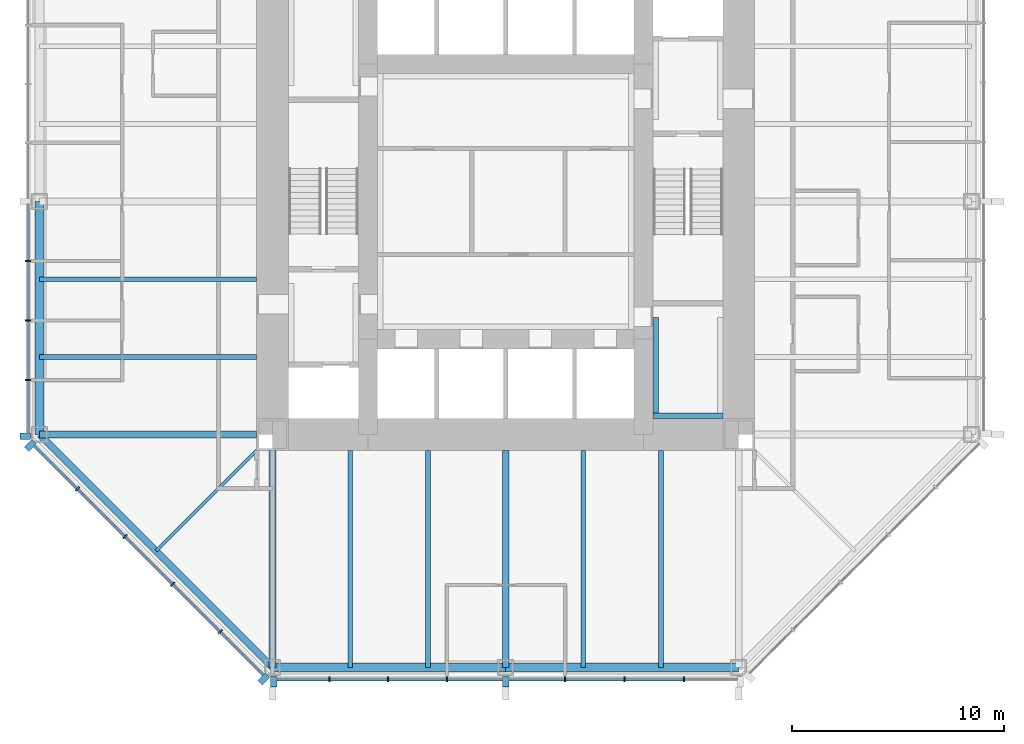
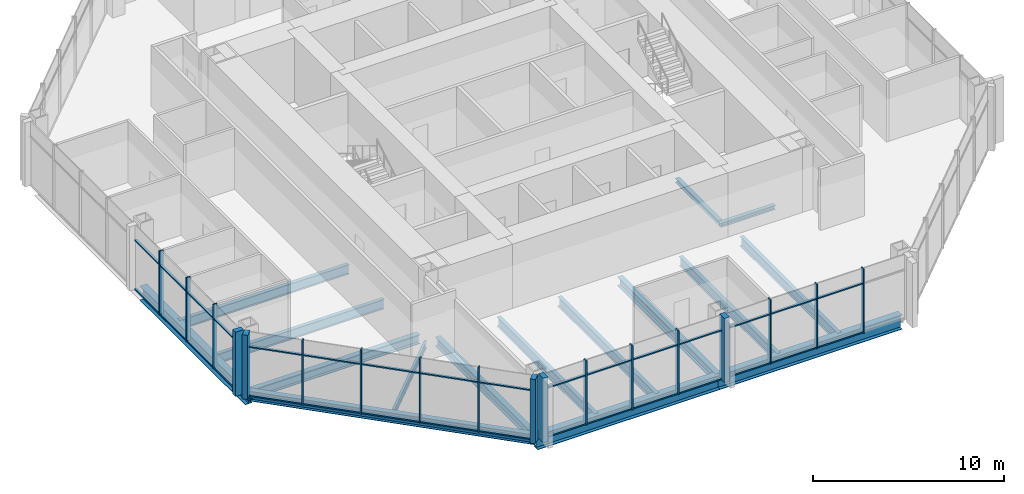
# One storey, part 2 of 12: 50 members, 16 beams, 3 elements without a shape of their own.
"""IFC4 building model written with IfcOpenShell, lengths in metres."""

from ifc_helpers import new_model, si_unit, direction, frame, origin, origin_2d, place, context, subcontext, project, spatial, rectangle, i_section, extrude, material, material_profile, profile_set, type_object, element, aggregate, save


model = new_model("IFC4")

# Units and contexts
model_context = context("Model", 3, precision=1e-05, world=origin(), true_north=direction((0.0, 1.0)))
body_context = subcontext(model_context, "Body", "Model", "MODEL_VIEW")
ifc_project = project(units=[si_unit("LENGTHUNIT", "METRE"), si_unit("AREAUNIT", "SQUARE_METRE"), si_unit("VOLUMEUNIT", "CUBIC_METRE"), si_unit("PLANEANGLEUNIT", "RADIAN"), si_unit("MASSUNIT", "GRAM", prefix="KILO")], contexts=[model_context])

# Site, building, storey
site_placement = place(None, origin())
site = spatial("IfcSite", under=ifc_project, at=site_placement, CompositionType="ELEMENT")
building_placement = place(site_placement, origin())
building = spatial("IfcBuilding", under=site, at=building_placement, Name="Trevanion Tower", CompositionType="ELEMENT")
storey_placement = place(building_placement, frame((0.0, 0.0, 129.5)))
storey = spatial("IfcBuildingStorey", under=building, at=storey_placement, Name="L30", CompositionType="ELEMENT", Elevation=129.5)

# Beams
ifc_material_1 = material(Name="Steel ASTM A992 Grade 50", Category="steel")
ifc_material_profile_1 = material_profile(ifc_material_1, i_section(OverallWidth=0.22900390625, OverallDepth=0.612060546875, WebThickness=0.011962890625, FlangeThickness=0.01953125, at=origin_2d()), Name="W24X84")
ifc_profile_set_1 = profile_set([ifc_material_profile_1], Name="Steel ASTM A992 Grade 50")
beam_type_1 = type_object("IfcBeamType", Name="B7 W24X84", PredefinedType="BEAM", material=ifc_profile_set_1)
for number, where, z_axis, x_axis, name in (
    (1, (-11.75, -3.666748046875, -0.49609375), (-1.0, 0.0, 0.0), (0.0, -1.0, 0.0), "B7 L30"),
    (2, (-11.75, -7.333251953125, -0.49609375), (-1.0, 0.0, 0.0), (0.0, -1.0, 0.0), "B7 L30"),
    (3, (-7.333251953125, -11.75, -0.49609375), (0.0, -1.0, 0.0), (1.0, 0.0, 0.0), "B7 L30"),
    (4, (-3.666748046875, -11.75, -0.49609375), (0.0, -1.0, 0.0), (1.0, 0.0, 0.0), "B7 L30"),
    (5, (3.666748046875, -11.75, -0.49609375), (0.0, -1.0, 0.0), (1.0, 0.0, 0.0), "B7 L30"),
    (6, (7.333251953125, -11.75, -0.49609375), (0.0, -1.0, 0.0), (1.0, 0.0, 0.0), "B7 L30"),
):
    element("IfcBeam", number, at=place(storey_placement, frame(where, z_axis=z_axis, x_axis=x_axis)), inside=storey, type_object=beam_type_1, Name=name, PredefinedType="BEAM", context=body_context, shape_type="SweptSolid", body=[
        extrude(i_section(OverallWidth=0.22900390625, OverallDepth=0.612060546875, WebThickness=0.011962890625, FlangeThickness=0.01953125, at=origin_2d()), origin(), (0.0, 0.0, 1.0), 10.25),
    ])
ifc_material_2 = material(Name="Steel ASTM A992 Grade 50", Category="steel")
ifc_material_profile_2 = material_profile(ifc_material_2, i_section(OverallWidth=0.15234375, OverallDepth=0.449462890625, WebThickness=0.007568359375, FlangeThickness=0.0107421875, at=origin_2d()), Name="W18X35")
ifc_profile_set_2 = profile_set([ifc_material_profile_2], Name="Steel ASTM A992 Grade 50")
beam_type_2 = type_object("IfcBeamType", Name="B8 W18X35", PredefinedType="BEAM", material=ifc_profile_set_2)
beam_1_placement = place(storey_placement, frame((-11.75, -11.75, -0.414794921875), z_axis=(-0.707106781187, -0.707106781187, 0.0), x_axis=(0.707106781187, -0.707106781187, 0.0)))
element("IfcBeam", 7, at=beam_1_placement, inside=storey, type_object=beam_type_2, Name="B8 L30", PredefinedType="BEAM", context=body_context, shape_type="SweptSolid", body=[
    extrude(i_section(OverallWidth=0.15234375, OverallDepth=0.449462890625, WebThickness=0.007568359375, FlangeThickness=0.0107421875, at=origin_2d()), origin(), (0.0, 0.0, 1.0), 6.717529296875),
])

# Curtain wall, members
ifc_material_3 = material(Name="Aluminium and glass", Category="aluminium")
curtain_wall_type = type_object("IfcCurtainWallType", Name="CW2 curtain wall", PredefinedType="USERDEFINED", material=ifc_material_3)
curtain_wall_1_placement = place(storey_placement, origin())
curtain_wall_1 = element("IfcCurtainWall", 8, at=curtain_wall_1_placement, inside=storey, type_object=curtain_wall_type, Name="CW2 L30 4", ObjectType="UNITISED CURTAIN WALL", PredefinedType="USERDEFINED")
ifc_material_4 = material(Name="Aluminium extrusion, anodised bronze", Category="aluminium")
ifc_material_profile_3 = material_profile(ifc_material_4, rectangle(XDim=0.074951171875, YDim=0.25, at=origin_2d()), Name="CW2 mullion")
ifc_profile_set_3 = profile_set([ifc_material_profile_3], Name="Aluminium extrusion, anodised bronze")
member_type_1 = type_object("IfcMemberType", Name="CW2 mullion", PredefinedType="MULLION", material=ifc_profile_set_3)
member_1_placement = place(storey_placement, frame((-22.550048828125, -2.806884765625, -0.18994140625), z_axis=(0.0, 0.0, 1.0), x_axis=(0.0, -1.0, 0.0)))
member_1 = element("IfcMember", 9, at=member_1_placement, type_object=member_type_1, Name="CW2 mullion 6", PredefinedType="MULLION", context=body_context, shape_type="SweptSolid", body=[
    extrude(rectangle(XDim=0.074951171875, YDim=0.25, at=origin_2d()), origin(), (0.0, 0.0, 1.0), 4.099853515625),
])
member_2_placement = place(storey_placement, frame((-22.550048828125, -5.614013671875, -0.18994140625), z_axis=(0.0, 0.0, 1.0), x_axis=(0.0, -1.0, 0.0)))
member_2 = element("IfcMember", 10, at=member_2_placement, type_object=member_type_1, Name="CW2 mullion 7", PredefinedType="MULLION", context=body_context, shape_type="SweptSolid", body=[
    extrude(rectangle(XDim=0.074951171875, YDim=0.25, at=origin_2d()), origin(), (0.0, 0.0, 1.0), 4.099853515625),
])
member_3_placement = place(storey_placement, frame((-22.550048828125, -8.4208984375, -0.18994140625), z_axis=(0.0, 0.0, 1.0), x_axis=(0.0, -1.0, 0.0)))
member_3 = element("IfcMember", 11, at=member_3_placement, type_object=member_type_1, Name="CW2 mullion 8", PredefinedType="MULLION", context=body_context, shape_type="SweptSolid", body=[
    extrude(rectangle(XDim=0.074951171875, YDim=0.25, at=origin_2d()), origin(), (0.0, 0.0, 1.0), 4.099853515625),
])

curtain_wall_2_placement = place(storey_placement, origin())
curtain_wall_2 = element("IfcCurtainWall", 12, at=curtain_wall_2_placement, inside=storey, type_object=curtain_wall_type, Name="CW2 L30 5", ObjectType="UNITISED CURTAIN WALL", PredefinedType="USERDEFINED")
member_4_placement = place(storey_placement, frame((-20.2119140625, -13.56591796875, -0.18994140625), z_axis=(0.0, 0.0, 1.0), x_axis=(0.707106781187, -0.707106781187, 0.0)))
member_4 = element("IfcMember", 13, at=member_4_placement, type_object=member_type_1, Name="CW2 mullion 2", PredefinedType="MULLION", context=body_context, shape_type="SweptSolid", body=[
    extrude(rectangle(XDim=0.074951171875, YDim=0.25, at=origin_2d()), origin(), (0.0, 0.0, 1.0), 4.099853515625),
])
member_5_placement = place(storey_placement, frame((-17.966064453125, -15.811767578125, -0.18994140625), z_axis=(0.0, 0.0, 1.0), x_axis=(0.707106781187, -0.707106781187, 0.0)))
member_5 = element("IfcMember", 14, at=member_5_placement, type_object=member_type_1, Name="CW2 mullion 3", PredefinedType="MULLION", context=body_context, shape_type="SweptSolid", body=[
    extrude(rectangle(XDim=0.074951171875, YDim=0.25, at=origin_2d()), origin(), (0.0, 0.0, 1.0), 4.099853515625),
])
member_6_placement = place(storey_placement, frame((-15.719970703125, -18.057861328125, -0.18994140625), z_axis=(0.0, 0.0, 1.0), x_axis=(0.707106781187, -0.707106781187, 0.0)))
member_6 = element("IfcMember", 15, at=member_6_placement, type_object=member_type_1, Name="CW2 mullion 4", PredefinedType="MULLION", context=body_context, shape_type="SweptSolid", body=[
    extrude(rectangle(XDim=0.074951171875, YDim=0.25, at=origin_2d()), origin(), (0.0, 0.0, 1.0), 4.099853515625),
])
member_7_placement = place(storey_placement, frame((-13.473876953125, -20.303955078125, -0.18994140625), z_axis=(0.0, 0.0, 1.0), x_axis=(0.707106781187, -0.707106781187, 0.0)))
member_7 = element("IfcMember", 16, at=member_7_placement, type_object=member_type_1, Name="CW2 mullion 5", PredefinedType="MULLION", context=body_context, shape_type="SweptSolid", body=[
    extrude(rectangle(XDim=0.074951171875, YDim=0.25, at=origin_2d()), origin(), (0.0, 0.0, 1.0), 4.099853515625),
])

curtain_wall_3_placement = place(storey_placement, origin())
curtain_wall_3 = element("IfcCurtainWall", 17, at=curtain_wall_3_placement, inside=storey, type_object=curtain_wall_type, Name="CW2 L30 6", ObjectType="UNITISED CURTAIN WALL", PredefinedType="USERDEFINED")
member_8_placement = place(storey_placement, frame((-8.323486328125, -22.550048828125, -0.18994140625), z_axis=(0.0, 0.0, 1.0), x_axis=(1.0, 0.0, 0.0)))
member_8 = element("IfcMember", 18, at=member_8_placement, type_object=member_type_1, Name="CW2 mullion 2", PredefinedType="MULLION", context=body_context, shape_type="SweptSolid", body=[
    extrude(rectangle(XDim=0.074951171875, YDim=0.25, at=origin_2d()), origin(), (0.0, 0.0, 1.0), 4.099853515625),
])
member_9_placement = place(storey_placement, frame((-5.548828125, -22.550048828125, -0.18994140625), z_axis=(0.0, 0.0, 1.0), x_axis=(1.0, 0.0, 0.0)))
member_9 = element("IfcMember", 19, at=member_9_placement, type_object=member_type_1, Name="CW2 mullion 3", PredefinedType="MULLION", context=body_context, shape_type="SweptSolid", body=[
    extrude(rectangle(XDim=0.074951171875, YDim=0.25, at=origin_2d()), origin(), (0.0, 0.0, 1.0), 4.099853515625),
])
member_10_placement = place(storey_placement, frame((-2.7744140625, -22.550048828125, -0.18994140625), z_axis=(0.0, 0.0, 1.0), x_axis=(1.0, 0.0, 0.0)))
member_10 = element("IfcMember", 20, at=member_10_placement, type_object=member_type_1, Name="CW2 mullion 4", PredefinedType="MULLION", context=body_context, shape_type="SweptSolid", body=[
    extrude(rectangle(XDim=0.074951171875, YDim=0.25, at=origin_2d()), origin(), (0.0, 0.0, 1.0), 4.099853515625),
])
member_11_placement = place(storey_placement, frame((2.806884765625, -22.550048828125, -0.18994140625), z_axis=(0.0, 0.0, 1.0), x_axis=(1.0, 0.0, 0.0)))
member_11 = element("IfcMember", 21, at=member_11_placement, type_object=member_type_1, Name="CW2 mullion 6", PredefinedType="MULLION", context=body_context, shape_type="SweptSolid", body=[
    extrude(rectangle(XDim=0.074951171875, YDim=0.25, at=origin_2d()), origin(), (0.0, 0.0, 1.0), 4.099853515625),
])
member_12_placement = place(storey_placement, frame((5.614013671875, -22.550048828125, -0.18994140625), z_axis=(0.0, 0.0, 1.0), x_axis=(1.0, 0.0, 0.0)))
member_12 = element("IfcMember", 22, at=member_12_placement, type_object=member_type_1, Name="CW2 mullion 7", PredefinedType="MULLION", context=body_context, shape_type="SweptSolid", body=[
    extrude(rectangle(XDim=0.074951171875, YDim=0.25, at=origin_2d()), origin(), (0.0, 0.0, 1.0), 4.099853515625),
])
member_13_placement = place(storey_placement, frame((8.4208984375, -22.550048828125, -0.18994140625), z_axis=(0.0, 0.0, 1.0), x_axis=(1.0, 0.0, 0.0)))
member_13 = element("IfcMember", 23, at=member_13_placement, type_object=member_type_1, Name="CW2 mullion 8", PredefinedType="MULLION", context=body_context, shape_type="SweptSolid", body=[
    extrude(rectangle(XDim=0.074951171875, YDim=0.25, at=origin_2d()), origin(), (0.0, 0.0, 1.0), 4.099853515625),
])

# Member
ifc_material_5 = material(Name="Aluminium extrusion, anodised bronze", Category="aluminium")
ifc_material_profile_4 = material_profile(ifc_material_5, rectangle(XDim=0.300048828125, YDim=0.5, at=origin_2d()), Name="CW2 pier mullion")
ifc_profile_set_4 = profile_set([ifc_material_profile_4], Name="Aluminium extrusion, anodised bronze")
member_type_2 = type_object("IfcMemberType", Name="CW2 pier mullion", PredefinedType="MULLION", material=ifc_profile_set_4)
member_14_placement = place(storey_placement, frame((-22.675048828125, -11.077880859375, -0.18994140625), z_axis=(0.0, 0.0, 1.0), x_axis=(0.0, -1.0, 0.0)))
member_14 = element("IfcMember", 24, at=member_14_placement, type_object=member_type_2, Name="CW2 pier mullion 9", PredefinedType="MULLION", context=body_context, shape_type="SweptSolid", body=[
    extrude(rectangle(XDim=0.300048828125, YDim=0.5, at=origin_2d()), origin(), (0.0, 0.0, 1.0), 4.099853515625),
])

member_15_placement = place(storey_placement, frame((-22.4404296875, -11.51416015625, -0.18994140625), z_axis=(0.0, 0.0, 1.0), x_axis=(0.707106781187, -0.707106781187, 0.0)))
member_15 = element("IfcMember", 25, at=member_15_placement, type_object=member_type_2, Name="CW2 pier mullion 1", PredefinedType="MULLION", context=body_context, shape_type="SweptSolid", body=[
    extrude(rectangle(XDim=0.300048828125, YDim=0.5, at=origin_2d()), origin(), (0.0, 0.0, 1.0), 4.099853515625),
])

member_16_placement = place(storey_placement, frame((-11.42236328125, -22.5322265625, -0.18994140625), z_axis=(0.0, 0.0, 1.0), x_axis=(0.707106781187, -0.707106781187, 0.0)))
member_16 = element("IfcMember", 26, at=member_16_placement, type_object=member_type_2, Name="CW2 pier mullion 6", PredefinedType="MULLION", context=body_context, shape_type="SweptSolid", body=[
    extrude(rectangle(XDim=0.300048828125, YDim=0.5, at=origin_2d()), origin(), (0.0, 0.0, 1.0), 4.099853515625),
])

member_17_placement = place(storey_placement, frame((-10.94775390625, -22.675048828125, -0.18994140625), z_axis=(0.0, 0.0, 1.0), x_axis=(1.0, 0.0, 0.0)))
member_17 = element("IfcMember", 27, at=member_17_placement, type_object=member_type_2, Name="CW2 pier mullion 1", PredefinedType="MULLION", context=body_context, shape_type="SweptSolid", body=[
    extrude(rectangle(XDim=0.300048828125, YDim=0.5, at=origin_2d()), origin(), (0.0, 0.0, 1.0), 4.099853515625),
])

member_18_placement = place(storey_placement, frame((0.0, -22.675048828125, -0.18994140625), z_axis=(0.0, 0.0, 1.0), x_axis=(1.0, 0.0, 0.0)))
member_18 = element("IfcMember", 28, at=member_18_placement, type_object=member_type_2, Name="CW2 pier mullion 5", PredefinedType="MULLION", context=body_context, shape_type="SweptSolid", body=[
    extrude(rectangle(XDim=0.300048828125, YDim=0.5, at=origin_2d()), origin(), (0.0, 0.0, 1.0), 4.099853515625),
])

ifc_material_6 = material(Name="Aluminium extrusion, anodised bronze", Category="aluminium")
ifc_material_profile_5 = material_profile(ifc_material_6, rectangle(XDim=0.14990234375, YDim=0.074951171875, at=origin_2d()), Name="CW2 transom")
ifc_profile_set_5 = profile_set([ifc_material_profile_5], Name="Aluminium extrusion, anodised bronze")
member_type_3 = type_object("IfcMemberType", Name="CW2 transom", PredefinedType="USERDEFINED", material=ifc_profile_set_5)
member_19_placement = place(storey_placement, frame((-22.550048828125, -0.14990234375, -0.152587890625), z_axis=(0.0, -1.0, 0.0), x_axis=(1.0, 0.0, 0.0)))
member_19 = element("IfcMember", 29, at=member_19_placement, type_object=member_type_3, Name="CW2 transom 5.1", ObjectType="TRANSOM", PredefinedType="USERDEFINED", context=body_context, shape_type="SweptSolid", body=[
    extrude(rectangle(XDim=0.14990234375, YDim=0.074951171875, at=origin_2d()), origin(), (0.0, 0.0, 1.0), 2.619384765625),
])

member_20_placement = place(storey_placement, frame((-22.550048828125, -0.14990234375, 2.9599609375), z_axis=(0.0, -1.0, 0.0), x_axis=(1.0, 0.0, 0.0)))
member_20 = element("IfcMember", 30, at=member_20_placement, type_object=member_type_3, Name="CW2 transom 5.2", ObjectType="TRANSOM", PredefinedType="USERDEFINED", context=body_context, shape_type="SweptSolid", body=[
    extrude(rectangle(XDim=0.14990234375, YDim=0.074951171875, at=origin_2d()), origin(), (0.0, 0.0, 1.0), 2.619384765625),
])

member_21_placement = place(storey_placement, frame((-22.550048828125, -2.844482421875, -0.152587890625), z_axis=(0.0, -1.0, 0.0), x_axis=(1.0, 0.0, 0.0)))
member_21 = element("IfcMember", 31, at=member_21_placement, type_object=member_type_3, Name="CW2 transom 6.1", ObjectType="TRANSOM", PredefinedType="USERDEFINED", context=body_context, shape_type="SweptSolid", body=[
    extrude(rectangle(XDim=0.14990234375, YDim=0.074951171875, at=origin_2d()), origin(), (0.0, 0.0, 1.0), 2.73193359375),
])

member_22_placement = place(storey_placement, frame((-22.550048828125, -2.844482421875, 2.9599609375), z_axis=(0.0, -1.0, 0.0), x_axis=(1.0, 0.0, 0.0)))
member_22 = element("IfcMember", 32, at=member_22_placement, type_object=member_type_3, Name="CW2 transom 6.2", ObjectType="TRANSOM", PredefinedType="USERDEFINED", context=body_context, shape_type="SweptSolid", body=[
    extrude(rectangle(XDim=0.14990234375, YDim=0.074951171875, at=origin_2d()), origin(), (0.0, 0.0, 1.0), 2.73193359375),
])

member_23_placement = place(storey_placement, frame((-22.550048828125, -5.6513671875, -0.152587890625), z_axis=(0.0, -1.0, 0.0), x_axis=(1.0, 0.0, 0.0)))
member_23 = element("IfcMember", 33, at=member_23_placement, type_object=member_type_3, Name="CW2 transom 7.1", ObjectType="TRANSOM", PredefinedType="USERDEFINED", context=body_context, shape_type="SweptSolid", body=[
    extrude(rectangle(XDim=0.14990234375, YDim=0.074951171875, at=origin_2d()), origin(), (0.0, 0.0, 1.0), 2.73193359375),
])

member_24_placement = place(storey_placement, frame((-22.550048828125, -5.6513671875, 2.9599609375), z_axis=(0.0, -1.0, 0.0), x_axis=(1.0, 0.0, 0.0)))
member_24 = element("IfcMember", 34, at=member_24_placement, type_object=member_type_3, Name="CW2 transom 7.2", ObjectType="TRANSOM", PredefinedType="USERDEFINED", context=body_context, shape_type="SweptSolid", body=[
    extrude(rectangle(XDim=0.14990234375, YDim=0.074951171875, at=origin_2d()), origin(), (0.0, 0.0, 1.0), 2.73193359375),
])

member_25_placement = place(storey_placement, frame((-22.550048828125, -8.45849609375, -0.152587890625), z_axis=(0.0, -1.0, 0.0), x_axis=(1.0, 0.0, 0.0)))
member_25 = element("IfcMember", 35, at=member_25_placement, type_object=member_type_3, Name="CW2 transom 8.1", ObjectType="TRANSOM", PredefinedType="USERDEFINED", context=body_context, shape_type="SweptSolid", body=[
    extrude(rectangle(XDim=0.14990234375, YDim=0.074951171875, at=origin_2d()), origin(), (0.0, 0.0, 1.0), 2.46923828125),
])

member_26_placement = place(storey_placement, frame((-22.550048828125, -8.45849609375, 2.9599609375), z_axis=(0.0, -1.0, 0.0), x_axis=(1.0, 0.0, 0.0)))
member_26 = element("IfcMember", 36, at=member_26_placement, type_object=member_type_3, Name="CW2 transom 8.2", ObjectType="TRANSOM", PredefinedType="USERDEFINED", context=body_context, shape_type="SweptSolid", body=[
    extrude(rectangle(XDim=0.14990234375, YDim=0.074951171875, at=origin_2d()), origin(), (0.0, 0.0, 1.0), 2.46923828125),
])

aggregate(curtain_wall_1, [member_1, member_2, member_3, member_14, member_19, member_20, member_21, member_22, member_23, member_24, member_25, member_26])

member_27_placement = place(storey_placement, frame((-22.245849609375, -11.531982421875, -0.152587890625), z_axis=(0.707106781187, -0.707106781187, 0.0), x_axis=(0.707106781187, 0.707106781187, 0.0)))
member_27 = element("IfcMember", 37, at=member_27_placement, type_object=member_type_3, Name="CW2 transom 1.1", ObjectType="TRANSOM", PredefinedType="USERDEFINED", context=body_context, shape_type="SweptSolid", body=[
    extrude(rectangle(XDim=0.14990234375, YDim=0.074951171875, at=origin_2d()), origin(), (0.0, 0.0, 1.0), 2.8388671875),
])

member_28_placement = place(storey_placement, frame((-22.245849609375, -11.531982421875, 2.9599609375), z_axis=(0.707106781187, -0.707106781187, 0.0), x_axis=(0.707106781187, 0.707106781187, 0.0)))
member_28 = element("IfcMember", 38, at=member_28_placement, type_object=member_type_3, Name="CW2 transom 1.2", ObjectType="TRANSOM", PredefinedType="USERDEFINED", context=body_context, shape_type="SweptSolid", body=[
    extrude(rectangle(XDim=0.14990234375, YDim=0.074951171875, at=origin_2d()), origin(), (0.0, 0.0, 1.0), 2.8388671875),
])

member_29_placement = place(storey_placement, frame((-20.185546875, -13.59228515625, -0.152587890625), z_axis=(0.707106781187, -0.707106781187, 0.0), x_axis=(0.707106781187, 0.707106781187, 0.0)))
member_29 = element("IfcMember", 39, at=member_29_placement, type_object=member_type_3, Name="CW2 transom 2.1", ObjectType="TRANSOM", PredefinedType="USERDEFINED", context=body_context, shape_type="SweptSolid", body=[
    extrude(rectangle(XDim=0.14990234375, YDim=0.074951171875, at=origin_2d()), origin(), (0.0, 0.0, 1.0), 3.1015625),
])

member_30_placement = place(storey_placement, frame((-20.185546875, -13.59228515625, 2.9599609375), z_axis=(0.707106781187, -0.707106781187, 0.0), x_axis=(0.707106781187, 0.707106781187, 0.0)))
member_30 = element("IfcMember", 40, at=member_30_placement, type_object=member_type_3, Name="CW2 transom 2.2", ObjectType="TRANSOM", PredefinedType="USERDEFINED", context=body_context, shape_type="SweptSolid", body=[
    extrude(rectangle(XDim=0.14990234375, YDim=0.074951171875, at=origin_2d()), origin(), (0.0, 0.0, 1.0), 3.1015625),
])

member_31_placement = place(storey_placement, frame((-17.939453125, -15.83837890625, -0.152587890625), z_axis=(0.707106781187, -0.707106781187, 0.0), x_axis=(0.707106781187, 0.707106781187, 0.0)))
member_31 = element("IfcMember", 41, at=member_31_placement, type_object=member_type_3, Name="CW2 transom 3.1", ObjectType="TRANSOM", PredefinedType="USERDEFINED", context=body_context, shape_type="SweptSolid", body=[
    extrude(rectangle(XDim=0.14990234375, YDim=0.074951171875, at=origin_2d()), origin(), (0.0, 0.0, 1.0), 3.1015625),
])

member_32_placement = place(storey_placement, frame((-17.939453125, -15.83837890625, 2.9599609375), z_axis=(0.707106781187, -0.707106781187, 0.0), x_axis=(0.707106781187, 0.707106781187, 0.0)))
member_32 = element("IfcMember", 42, at=member_32_placement, type_object=member_type_3, Name="CW2 transom 3.2", ObjectType="TRANSOM", PredefinedType="USERDEFINED", context=body_context, shape_type="SweptSolid", body=[
    extrude(rectangle(XDim=0.14990234375, YDim=0.074951171875, at=origin_2d()), origin(), (0.0, 0.0, 1.0), 3.1015625),
])

member_33_placement = place(storey_placement, frame((-15.693359375, -18.08447265625, -0.152587890625), z_axis=(0.707106781187, -0.707106781187, 0.0), x_axis=(0.707106781187, 0.707106781187, 0.0)))
member_33 = element("IfcMember", 43, at=member_33_placement, type_object=member_type_3, Name="CW2 transom 4.1", ObjectType="TRANSOM", PredefinedType="USERDEFINED", context=body_context, shape_type="SweptSolid", body=[
    extrude(rectangle(XDim=0.14990234375, YDim=0.074951171875, at=origin_2d()), origin(), (0.0, 0.0, 1.0), 3.10107421875),
])

member_34_placement = place(storey_placement, frame((-15.693359375, -18.08447265625, 2.9599609375), z_axis=(0.707106781187, -0.707106781187, 0.0), x_axis=(0.707106781187, 0.707106781187, 0.0)))
member_34 = element("IfcMember", 44, at=member_34_placement, type_object=member_type_3, Name="CW2 transom 4.2", ObjectType="TRANSOM", PredefinedType="USERDEFINED", context=body_context, shape_type="SweptSolid", body=[
    extrude(rectangle(XDim=0.14990234375, YDim=0.074951171875, at=origin_2d()), origin(), (0.0, 0.0, 1.0), 3.10107421875),
])

member_35_placement = place(storey_placement, frame((-13.447509765625, -20.33056640625, -0.152587890625), z_axis=(0.707149778163, -0.707063781595, 0.0), x_axis=(0.707063781595, 0.707149778163, 0.0)))
member_35 = element("IfcMember", 45, at=member_35_placement, type_object=member_type_3, Name="CW2 transom 5.1", ObjectType="TRANSOM", PredefinedType="USERDEFINED", context=body_context, shape_type="SweptSolid", body=[
    extrude(rectangle(XDim=0.14990234375, YDim=0.074951171875, at=origin_2d()), origin(), (0.0, 0.0, 1.0), 2.8388671875),
])

member_36_placement = place(storey_placement, frame((-13.447509765625, -20.33056640625, 2.9599609375), z_axis=(0.707149778163, -0.707063781595, 0.0), x_axis=(0.707063781595, 0.707149778163, 0.0)))
member_36 = element("IfcMember", 46, at=member_36_placement, type_object=member_type_3, Name="CW2 transom 5.2", ObjectType="TRANSOM", PredefinedType="USERDEFINED", context=body_context, shape_type="SweptSolid", body=[
    extrude(rectangle(XDim=0.14990234375, YDim=0.074951171875, at=origin_2d()), origin(), (0.0, 0.0, 1.0), 2.8388671875),
])

aggregate(curtain_wall_2, [member_15, member_4, member_5, member_6, member_7, member_16, member_27, member_28, member_29, member_30, member_31, member_32, member_33, member_34, member_35, member_36])

member_37_placement = place(storey_placement, frame((-10.7978515625, -22.550048828125, -0.152587890625), z_axis=(1.0, 0.0, 0.0), x_axis=(0.0, 1.0, 0.0)))
member_37 = element("IfcMember", 47, at=member_37_placement, type_object=member_type_3, Name="CW2 transom 1.1", ObjectType="TRANSOM", PredefinedType="USERDEFINED", context=body_context, shape_type="SweptSolid", body=[
    extrude(rectangle(XDim=0.14990234375, YDim=0.074951171875, at=origin_2d()), origin(), (0.0, 0.0, 1.0), 2.43701171875),
])

member_38_placement = place(storey_placement, frame((-10.7978515625, -22.550048828125, 2.9599609375), z_axis=(1.0, 0.0, 0.0), x_axis=(0.0, 1.0, 0.0)))
member_38 = element("IfcMember", 48, at=member_38_placement, type_object=member_type_3, Name="CW2 transom 1.2", ObjectType="TRANSOM", PredefinedType="USERDEFINED", context=body_context, shape_type="SweptSolid", body=[
    extrude(rectangle(XDim=0.14990234375, YDim=0.074951171875, at=origin_2d()), origin(), (0.0, 0.0, 1.0), 2.43701171875),
])

member_39_placement = place(storey_placement, frame((-8.285888671875, -22.550048828125, -0.152587890625), z_axis=(1.0, 0.0, 0.0), x_axis=(0.0, 1.0, 0.0)))
member_39 = element("IfcMember", 49, at=member_39_placement, type_object=member_type_3, Name="CW2 transom 2.1", ObjectType="TRANSOM", PredefinedType="USERDEFINED", context=body_context, shape_type="SweptSolid", body=[
    extrude(rectangle(XDim=0.14990234375, YDim=0.074951171875, at=origin_2d()), origin(), (0.0, 0.0, 1.0), 2.699462890625),
])

member_40_placement = place(storey_placement, frame((-8.285888671875, -22.550048828125, 2.9599609375), z_axis=(1.0, 0.0, 0.0), x_axis=(0.0, 1.0, 0.0)))
member_40 = element("IfcMember", 50, at=member_40_placement, type_object=member_type_3, Name="CW2 transom 2.2", ObjectType="TRANSOM", PredefinedType="USERDEFINED", context=body_context, shape_type="SweptSolid", body=[
    extrude(rectangle(XDim=0.14990234375, YDim=0.074951171875, at=origin_2d()), origin(), (0.0, 0.0, 1.0), 2.699462890625),
])

member_41_placement = place(storey_placement, frame((-5.511474609375, -22.550048828125, -0.152587890625), z_axis=(1.0, 0.0, 0.0), x_axis=(0.0, 1.0, 0.0)))
member_41 = element("IfcMember", 51, at=member_41_placement, type_object=member_type_3, Name="CW2 transom 3.1", ObjectType="TRANSOM", PredefinedType="USERDEFINED", context=body_context, shape_type="SweptSolid", body=[
    extrude(rectangle(XDim=0.14990234375, YDim=0.074951171875, at=origin_2d()), origin(), (0.0, 0.0, 1.0), 2.699462890625),
])

member_42_placement = place(storey_placement, frame((-5.511474609375, -22.550048828125, 2.9599609375), z_axis=(1.0, 0.0, 0.0), x_axis=(0.0, 1.0, 0.0)))
member_42 = element("IfcMember", 52, at=member_42_placement, type_object=member_type_3, Name="CW2 transom 3.2", ObjectType="TRANSOM", PredefinedType="USERDEFINED", context=body_context, shape_type="SweptSolid", body=[
    extrude(rectangle(XDim=0.14990234375, YDim=0.074951171875, at=origin_2d()), origin(), (0.0, 0.0, 1.0), 2.699462890625),
])

member_43_placement = place(storey_placement, frame((-2.737060546875, -22.550048828125, -0.152587890625), z_axis=(1.0, 0.0, 0.0), x_axis=(0.0, 1.0, 0.0)))
member_43 = element("IfcMember", 53, at=member_43_placement, type_object=member_type_3, Name="CW2 transom 4.1", ObjectType="TRANSOM", PredefinedType="USERDEFINED", context=body_context, shape_type="SweptSolid", body=[
    extrude(rectangle(XDim=0.14990234375, YDim=0.074951171875, at=origin_2d()), origin(), (0.0, 0.0, 1.0), 2.587158203125),
])

member_44_placement = place(storey_placement, frame((-2.737060546875, -22.550048828125, 2.9599609375), z_axis=(1.0, 0.0, 0.0), x_axis=(0.0, 1.0, 0.0)))
member_44 = element("IfcMember", 54, at=member_44_placement, type_object=member_type_3, Name="CW2 transom 4.2", ObjectType="TRANSOM", PredefinedType="USERDEFINED", context=body_context, shape_type="SweptSolid", body=[
    extrude(rectangle(XDim=0.14990234375, YDim=0.074951171875, at=origin_2d()), origin(), (0.0, 0.0, 1.0), 2.587158203125),
])

member_45_placement = place(storey_placement, frame((0.14990234375, -22.550048828125, -0.152587890625), z_axis=(1.0, 0.0, 0.0), x_axis=(0.0, 1.0, 0.0)))
member_45 = element("IfcMember", 55, at=member_45_placement, type_object=member_type_3, Name="CW2 transom 5.1", ObjectType="TRANSOM", PredefinedType="USERDEFINED", context=body_context, shape_type="SweptSolid", body=[
    extrude(rectangle(XDim=0.14990234375, YDim=0.074951171875, at=origin_2d()), origin(), (0.0, 0.0, 1.0), 2.619384765625),
])

member_46_placement = place(storey_placement, frame((0.14990234375, -22.550048828125, 2.9599609375), z_axis=(1.0, 0.0, 0.0), x_axis=(0.0, 1.0, 0.0)))
member_46 = element("IfcMember", 56, at=member_46_placement, type_object=member_type_3, Name="CW2 transom 5.2", ObjectType="TRANSOM", PredefinedType="USERDEFINED", context=body_context, shape_type="SweptSolid", body=[
    extrude(rectangle(XDim=0.14990234375, YDim=0.074951171875, at=origin_2d()), origin(), (0.0, 0.0, 1.0), 2.619384765625),
])

member_47_placement = place(storey_placement, frame((2.844482421875, -22.550048828125, -0.152587890625), z_axis=(1.0, 0.0, 0.0), x_axis=(0.0, 1.0, 0.0)))
member_47 = element("IfcMember", 57, at=member_47_placement, type_object=member_type_3, Name="CW2 transom 6.1", ObjectType="TRANSOM", PredefinedType="USERDEFINED", context=body_context, shape_type="SweptSolid", body=[
    extrude(rectangle(XDim=0.14990234375, YDim=0.074951171875, at=origin_2d()), origin(), (0.0, 0.0, 1.0), 2.73193359375),
])

member_48_placement = place(storey_placement, frame((2.844482421875, -22.550048828125, 2.9599609375), z_axis=(1.0, 0.0, 0.0), x_axis=(0.0, 1.0, 0.0)))
member_48 = element("IfcMember", 58, at=member_48_placement, type_object=member_type_3, Name="CW2 transom 6.2", ObjectType="TRANSOM", PredefinedType="USERDEFINED", context=body_context, shape_type="SweptSolid", body=[
    extrude(rectangle(XDim=0.14990234375, YDim=0.074951171875, at=origin_2d()), origin(), (0.0, 0.0, 1.0), 2.73193359375),
])

member_49_placement = place(storey_placement, frame((5.6513671875, -22.550048828125, -0.152587890625), z_axis=(1.0, 0.0, 0.0), x_axis=(0.0, 1.0, 0.0)))
member_49 = element("IfcMember", 59, at=member_49_placement, type_object=member_type_3, Name="CW2 transom 7.1", ObjectType="TRANSOM", PredefinedType="USERDEFINED", context=body_context, shape_type="SweptSolid", body=[
    extrude(rectangle(XDim=0.14990234375, YDim=0.074951171875, at=origin_2d()), origin(), (0.0, 0.0, 1.0), 2.73193359375),
])

member_50_placement = place(storey_placement, frame((5.6513671875, -22.550048828125, 2.9599609375), z_axis=(1.0, 0.0, 0.0), x_axis=(0.0, 1.0, 0.0)))
member_50 = element("IfcMember", 60, at=member_50_placement, type_object=member_type_3, Name="CW2 transom 7.2", ObjectType="TRANSOM", PredefinedType="USERDEFINED", context=body_context, shape_type="SweptSolid", body=[
    extrude(rectangle(XDim=0.14990234375, YDim=0.074951171875, at=origin_2d()), origin(), (0.0, 0.0, 1.0), 2.73193359375),
])

aggregate(curtain_wall_3, [member_17, member_8, member_9, member_10, member_18, member_11, member_12, member_13, member_37, member_38, member_39, member_40, member_41, member_42, member_43, member_44, member_45, member_46, member_47, member_48, member_49, member_50])

# Beams
ifc_material_7 = material(Name="Steel ASTM A992 Grade 50", Category="steel")
ifc_material_profile_6 = material_profile(ifc_material_7, i_section(OverallWidth=0.320068359375, OverallDepth=0.584228515625, WebThickness=0.023193359375, FlangeThickness=0.04150390625, at=origin_2d()), Name="W21X201")
ifc_profile_set_6 = profile_set([ifc_material_profile_6], Name="Steel ASTM A992 Grade 50")
beam_type_3 = type_object("IfcBeamType", Name="G4 W21X201", PredefinedType="BEAM", material=ifc_profile_set_6)
for number, where, z_axis, x_axis, name in (
    (61, (-11.75, -11.0, -0.482177734375), (-1.0, 0.0, 0.0), (0.0, -1.0, 0.0), "G4 L30"),
    (62, (-11.0, -11.75, -0.482177734375), (0.0, -1.0, 0.0), (1.0, 0.0, 0.0), "G4 L30"),
    (63, (0.0, -11.75, -0.482177734375), (0.0, -1.0, 0.0), (1.0, 0.0, 0.0), "G4 L30"),
):
    element("IfcBeam", number, at=place(storey_placement, frame(where, z_axis=z_axis, x_axis=x_axis)), inside=storey, type_object=beam_type_3, Name=name, PredefinedType="BEAM", context=body_context, shape_type="SweptSolid", body=[
        extrude(i_section(OverallWidth=0.320068359375, OverallDepth=0.584228515625, WebThickness=0.023193359375, FlangeThickness=0.04150390625, at=origin_2d()), origin(), (0.0, 0.0, 1.0), 10.25),
    ])
ifc_material_8 = material(Name="Steel ASTM A992 Grade 50", Category="steel")
ifc_material_profile_7 = material_profile(ifc_material_8, i_section(OverallWidth=0.256591796875, OverallDepth=0.26416015625, WebThickness=0.011962890625, FlangeThickness=0.01953125, at=origin_2d()), Name="W10X68")
ifc_profile_set_7 = profile_set([ifc_material_profile_7], Name="Steel ASTM A992 Grade 50")
beam_type_4 = type_object("IfcBeamType", Name="LB1 W10X68", PredefinedType="BEAM", material=ifc_profile_set_7)
beam_2_placement = place(storey_placement, frame((7.078369140625, -10.25, -0.33203125), z_axis=(0.0, 1.0, 0.0), x_axis=(-1.0, 0.0, 0.0)))
element("IfcBeam", 64, at=beam_2_placement, inside=storey, type_object=beam_type_4, Name="LB1 L30", PredefinedType="BEAM", context=body_context, shape_type="SweptSolid", body=[
    extrude(i_section(OverallWidth=0.256591796875, OverallDepth=0.26416015625, WebThickness=0.011962890625, FlangeThickness=0.01953125, at=origin_2d()), origin(), (0.0, 0.0, 1.0), 4.77490234375),
])
beam_3_placement = place(storey_placement, frame((6.949951171875, -10.12158203125, -0.33203125), z_axis=(1.0, 0.0, 0.0), x_axis=(0.0, 1.0, 0.0)))
element("IfcBeam", 65, at=beam_3_placement, inside=storey, type_object=beam_type_4, Name="LB1 L30", PredefinedType="BEAM", context=body_context, shape_type="SweptSolid", body=[
    extrude(i_section(OverallWidth=0.256591796875, OverallDepth=0.26416015625, WebThickness=0.011962890625, FlangeThickness=0.01953125, at=origin_2d()), origin(), (0.0, 0.0, 1.0), 3.300048828125),
])
ifc_material_9 = material(Name="Steel ASTM A992 Grade 50", Category="steel")
ifc_material_profile_8 = material_profile(ifc_material_9, i_section(OverallWidth=0.419189453125, OverallDepth=0.927001953125, WebThickness=0.019287109375, FlangeThickness=0.031982421875, at=origin_2d()), Name="W36X231")
ifc_profile_set_8 = profile_set([ifc_material_profile_8], Name="Steel ASTM A992 Grade 50")
beam_type_5 = type_object("IfcBeamType", Name="SB4 W36X231", PredefinedType="SPANDREL", material=ifc_profile_set_8)
for number, where, z_axis, x_axis, name in (
    (66, (-22.0, 0.0, -0.653564453125), (0.0, -1.0, 0.0), (1.0, 0.0, 0.0), "SB4 L30"),
    (67, (-11.0, -22.0, -0.653564453125), (1.0, 0.0, 0.0), (0.0, 1.0, 0.0), "SB4 L30"),
    (68, (0.0, -22.0, -0.653564453125), (1.0, 0.0, 0.0), (0.0, 1.0, 0.0), "SB4 L30"),
):
    element("IfcBeam", number, at=place(storey_placement, frame(where, z_axis=z_axis, x_axis=x_axis)), inside=storey, type_object=beam_type_5, Name=name, PredefinedType="SPANDREL", context=body_context, shape_type="SweptSolid", body=[
        extrude(i_section(OverallWidth=0.419189453125, OverallDepth=0.927001953125, WebThickness=0.019287109375, FlangeThickness=0.031982421875, at=origin_2d()), origin(), (0.0, 0.0, 1.0), 11.0),
    ])
ifc_material_10 = material(Name="Steel ASTM A992 Grade 50", Category="steel")
ifc_material_profile_9 = material_profile(ifc_material_10, i_section(OverallWidth=0.32763671875, OverallDepth=0.62744140625, WebThickness=0.0166015625, FlangeThickness=0.027587890625, at=origin_2d()), Name="W24X146")
ifc_profile_set_9 = profile_set([ifc_material_profile_9], Name="Steel ASTM A992 Grade 50")
beam_type_6 = type_object("IfcBeamType", Name="SB5 W24X146", PredefinedType="SPANDREL", material=ifc_profile_set_9)
beam_4_placement = place(storey_placement, frame((-22.0, -11.0, -0.503662109375), z_axis=(0.707106781187, -0.707106781187, 0.0), x_axis=(0.707106781187, 0.707106781187, 0.0)))
element("IfcBeam", 69, at=beam_4_placement, inside=storey, type_object=beam_type_6, Name="SB5 L30", PredefinedType="SPANDREL", context=body_context, shape_type="SweptSolid", body=[
    extrude(i_section(OverallWidth=0.32763671875, OverallDepth=0.62744140625, WebThickness=0.0166015625, FlangeThickness=0.027587890625, at=origin_2d()), origin(), (0.0, 0.0, 1.0), 15.556396484375),
])

save(model, "model.ifc")
